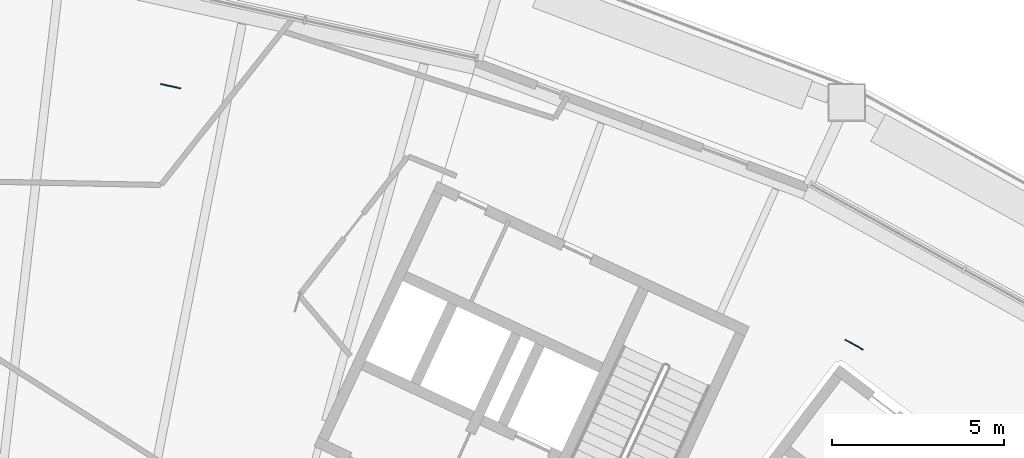
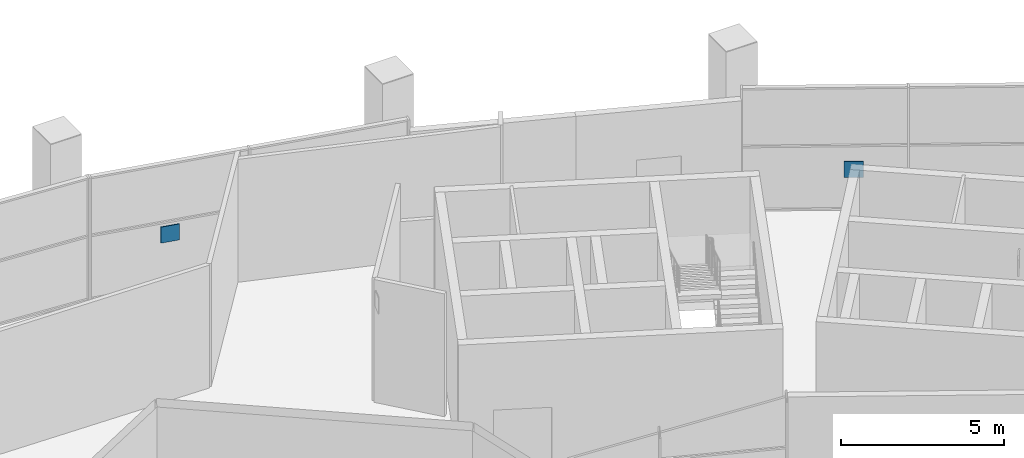
# One storey, part 25 of 28: 2 discrete accessories.
"""IFC4 building model written with IfcOpenShell, lengths in metres."""

import ifcopenshell
import ifcopenshell.guid

model = None  # the IFC model being written
_history = None  # IfcOwnerHistory: only IFC2X3 demands one
_inside = {}  # id of a spatial element -> (the spatial element, [elements in it])
_under = {}  # id of a project, library or spatial element -> (it, [spatial elements below it])
_declared = {}  # id of a project -> (the project, [libraries it declares])
_typed = {}  # id of a type object -> (the type object, [elements of that type])
_made_of = {}  # id of a material, layer set ... -> (it, [elements and type objects made of it])


def new_model(schema):
    """Start an empty IFC model of exactly this schema.

    Asked for "IFC4X3", IfcOpenShell would pick the latest addendum, in which some entities
    have other attributes; the version numbers below select the first issue.
    IFC2X3 requires an IfcOwnerHistory on every rooted entity: one is made here for all.
    """
    global model, _history
    if schema == "IFC4X3":
        model = ifcopenshell.file(schema_version=(4, 3, 0, 0))
    else:
        model = ifcopenshell.file(schema=schema)
    _inside.clear()
    _under.clear()
    _declared.clear()
    _typed.clear()
    _made_of.clear()
    _history = None
    if model.schema == "IFC2X3":
        org = make("IfcOrganization", Name="unknown")
        user = make(
            "IfcPersonAndOrganization",
            ThePerson=make("IfcPerson", FamilyName="unknown"),
            TheOrganization=org,
        )
        app = make(
            "IfcApplication",
            ApplicationDeveloper=org,
            Version="unknown",
            ApplicationFullName="unknown",
            ApplicationIdentifier="unknown",
        )
        _history = make(
            "IfcOwnerHistory",
            OwningUser=user,
            OwningApplication=app,
            ChangeAction="ADDED",
            CreationDate=0,
        )
    return model


def make(cls, **values):
    """One entity of the class cls with the attributes given. An attribute that is None is left unset."""
    return model.create_entity(
        cls, **{name: value for name, value in values.items() if value is not None}
    )


def rooted(cls, **values):
    """An entity with a GlobalId (a new one), such as an element, a storey or a relation."""
    return make(cls, GlobalId=ifcopenshell.guid.new(), OwnerHistory=_history, **values)


def si_unit(unit_type, name, prefix=None):
    """IfcSIUnit, for example si_unit("LENGTHUNIT", "METRE", prefix="MILLI")."""
    return make("IfcSIUnit", UnitType=unit_type, Prefix=prefix, Name=name)


def assignment(units):
    """IfcUnitAssignment: the units of a project."""
    return None if units is None else make("IfcUnitAssignment", Units=units)


def point(xyz):
    """IfcCartesianPoint."""
    return None if xyz is None else make("IfcCartesianPoint", Coordinates=xyz)


def direction(xyz):
    """IfcDirection."""
    return None if xyz is None else make("IfcDirection", DirectionRatios=xyz)


def frame(location, z_axis=None, x_axis=None):
    """IfcAxis2Placement3D, a coordinate frame: its origin and axes. An axis left out is left unset."""
    return make(
        "IfcAxis2Placement3D",
        Location=point(location),
        Axis=direction(z_axis),
        RefDirection=direction(x_axis),
    )


def frame_2d(location, x_axis=None):
    """IfcAxis2Placement2D, a coordinate frame in the plane: its origin and x axis."""
    return make(
        "IfcAxis2Placement2D", Location=point(location), RefDirection=direction(x_axis)
    )


def origin():
    """The frame at (0, 0, 0) with its axes left unset."""
    return frame((0.0, 0.0, 0.0))


def origin_2d():
    """The frame at (0, 0) in the plane with its x axis left unset."""
    return frame_2d((0.0, 0.0))


def place(relative_to, where):
    """IfcLocalPlacement: puts the frame where relative to a parent placement (None: the world)."""
    return make(
        "IfcLocalPlacement", PlacementRelTo=relative_to, RelativePlacement=where
    )


def context(
    kind, dimensions, precision=None, world=None, true_north=None, identifier=None
):
    """IfcGeometricRepresentationContext, for example the 3D "Model" context."""
    return make(
        "IfcGeometricRepresentationContext",
        ContextIdentifier=identifier,
        ContextType=kind,
        CoordinateSpaceDimension=dimensions,
        Precision=precision,
        WorldCoordinateSystem=world,
        TrueNorth=true_north,
    )


def subcontext(parent, identifier, kind, view, scale=None):
    """IfcGeometricRepresentationSubContext, for example "Body" below "Model"."""
    return make(
        "IfcGeometricRepresentationSubContext",
        ContextIdentifier=identifier,
        ContextType=kind,
        ParentContext=parent,
        TargetScale=scale,
        TargetView=view,
    )


def project(units=None, contexts=None):
    """IfcProject with its units and contexts."""
    return rooted(
        "IfcProject",
        Name="project",
        RepresentationContexts=contexts,
        UnitsInContext=assignment(units),
    )


def spatial(cls, under=None, at=None, **own):
    """A site, building, storey or space (cls), placed at a placement, below another one or the project."""
    s = rooted(cls, ObjectPlacement=at, **own)
    if under is not None:
        _under.setdefault(under.id(), (under, []))[1].append(s)
    return s


def profile(cls, at=None, kind="AREA", **sizes):
    """A parametric profile (cls). Its sizes go by their IFC names, for example OverallWidth=200.0."""
    return make(cls, ProfileType=kind, Position=at, **sizes)


def rectangle(**sizes):
    """IfcRectangleProfileDef."""
    return profile("IfcRectangleProfileDef", **sizes)


def extrude(swept, where, along, depth):
    """IfcExtrudedAreaSolid: the profile swept, set in the frame where, extruded along a direction by depth."""
    return make(
        "IfcExtrudedAreaSolid",
        SweptArea=swept,
        Position=where,
        ExtrudedDirection=direction(along),
        Depth=depth,
    )


def shape(context_of_items, identifier, shape_type, items):
    """IfcShapeRepresentation: the items that make up one representation, for example the "Body"."""
    return make(
        "IfcShapeRepresentation",
        ContextOfItems=context_of_items,
        RepresentationIdentifier=identifier,
        RepresentationType=shape_type,
        Items=items,
    )


def material(Name=None, Category=None):
    """IfcMaterial."""
    return make("IfcMaterial", Name=Name, Category=Category)


def made_of(thing, what):
    """Note that an element or type object is made of a material, layer set ...; save() writes the relation."""
    if what is not None:
        _made_of.setdefault(what.id(), (what, []))[1].append(thing)
    return thing


def type_object(cls, material=None, **own):
    """A type object (cls), such as IfcWallType, which elements share."""
    return made_of(rooted(cls, **own), material)


def element(
    cls,
    number,
    at=None,
    inside=None,
    cuts=None,
    type_object=None,
    material=None,
    context=None,
    identifier="Body",
    shape_type=None,
    held_by="IfcProductDefinitionShape",
    body=None,
    shapes=None,
    **own,
):
    """One element of the class cls, such as IfcWall. Its Tag is "e" and its number.

    at: its placement. inside: the storey or other place that contains it. cuts: it is an
    opening in that element (IfcRelVoidsElement). A single representation is given by context,
    identifier, shape_type and body (its items); several are given by shapes. held_by: the class
    of the entity that holds the representations. save() writes the other relations.
    """
    e = rooted(cls, Tag="e%d" % number, ObjectPlacement=at, **own)
    if body is not None:
        shapes = [shape(context, identifier, shape_type, body)]
    if shapes is not None:
        e.Representation = make(held_by, Representations=shapes)
    if inside is not None:
        _inside.setdefault(inside.id(), (inside, []))[1].append(e)
    if cuts is not None:
        rooted(
            "IfcRelVoidsElement", RelatingBuildingElement=cuts, RelatedOpeningElement=e
        )
    if type_object is not None:
        _typed.setdefault(type_object.id(), (type_object, []))[1].append(e)
    return made_of(e, material)


def aggregate(whole, parts):
    """IfcRelAggregates: a whole, such as a stair, and the parts it consists of."""
    return rooted("IfcRelAggregates", RelatingObject=whole, RelatedObjects=parts)


def save(model, path):
    """Write the relations noted so far, then the file.

    IfcRelAggregates (storeys below a building ...), IfcRelContainedInSpatialStructure (elements
    in a storey), IfcRelDefinesByType, IfcRelAssociatesMaterial and IfcRelDeclares: one each for
    every whole, place, type object, material and project.
    """
    for whole, parts in _under.values():
        aggregate(whole, parts)
    for where, things in _inside.values():
        rooted(
            "IfcRelContainedInSpatialStructure",
            RelatedElements=things,
            RelatingStructure=where,
        )
    for kind, things in _typed.values():
        rooted("IfcRelDefinesByType", RelatedObjects=things, RelatingType=kind)
    for what, things in _made_of.values():
        rooted("IfcRelAssociatesMaterial", RelatedObjects=things, RelatingMaterial=what)
    for by, libraries in _declared.values():
        rooted("IfcRelDeclares", RelatingContext=by, RelatedDefinitions=libraries)
    model.write(path)


model = new_model("IFC4")

# Units and contexts
model_context = context("Model", 3, precision=1e-05, world=origin(), true_north=direction((0.0, 1.0)))
body_context = subcontext(model_context, "Body", "Model", "MODEL_VIEW")
ifc_project = project(units=[si_unit("LENGTHUNIT", "METRE"), si_unit("AREAUNIT", "SQUARE_METRE"), si_unit("VOLUMEUNIT", "CUBIC_METRE"), si_unit("PLANEANGLEUNIT", "RADIAN"), si_unit("MASSUNIT", "GRAM", prefix="KILO")], contexts=[model_context])

# Site, building, storey
site_placement = place(None, origin())
site = spatial("IfcSite", under=ifc_project, at=site_placement, CompositionType="ELEMENT")
building_placement = place(site_placement, origin())
building = spatial("IfcBuilding", under=site, at=building_placement, Name="Tuul Gate Civic Tower", CompositionType="ELEMENT")
storey_placement = place(building_placement, frame((0.0, 0.0, 128.699951171875)))
storey = spatial("IfcBuildingStorey", under=building, at=storey_placement, Name="Sky garden level 1", CompositionType="ELEMENT", Elevation=128.699951171875)

# Discrete accessories
ifc_material = material(Name="Steel S355", Category="steel")
discrete_accessory_type = type_object("IfcDiscreteAccessoryType", Name="Gusset plate", PredefinedType="BRACKET", material=ifc_material)
for number, where, z_axis, x_axis, name in (
    (1, (21.237060546875, 7.31103515625, 3.5966796875), (0.0, 0.0, 1.0), (0.976568946286, -0.215204770275, 0.0), "Gusset plate"),
    (2, (41.10693359375, -0.202880859375, 3.5966796875), (0.0, 0.0, 1.0), (0.87462518169, -0.484799743765, 0.0), "Gusset plate"),
):
    element("IfcDiscreteAccessory", number, at=place(storey_placement, frame(where, z_axis=z_axis, x_axis=x_axis)), inside=storey, type_object=discrete_accessory_type, Name=name, PredefinedType="BRACKET", context=body_context, shape_type="SweptSolid", body=[
        extrude(rectangle(XDim=0.60009765625, YDim=0.030029296875, at=origin_2d()), origin(), (0.0, 0.0, 1.0), 0.60009765625),
    ])

save(model, "model.ifc")
